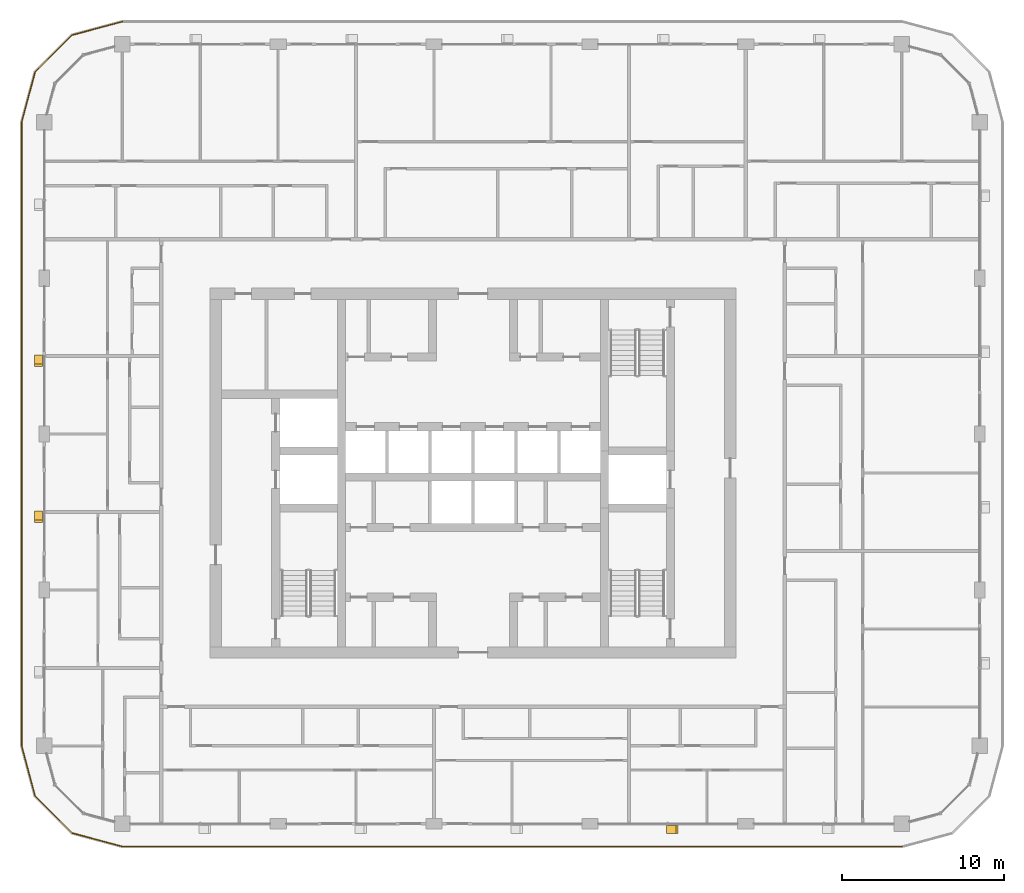
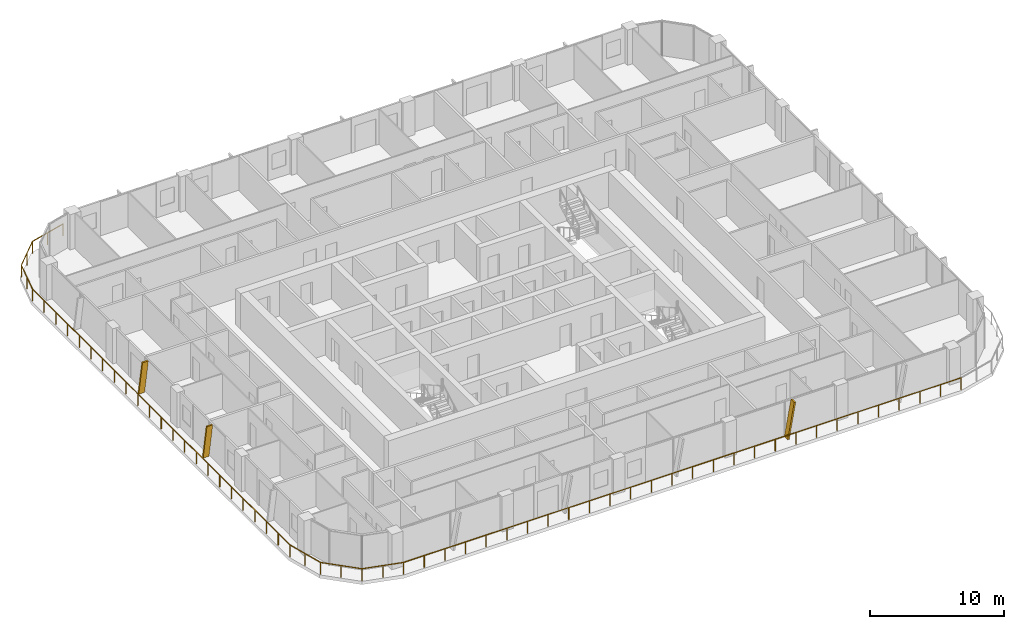
# One storey, part 19 of 23: 3 shading devices, 1 railing.
"""IFC4 building model written with IfcOpenShell, lengths in metres."""

from ifc_helpers import new_model, si_unit, direction, frame, origin, origin_2d, place, context, subcontext, project, spatial, polyline, circle, outline, extrude, material, type_object, element, save


model = new_model("IFC4")

# Units and contexts
model_context = context("Model", 3, precision=1e-05, world=origin(), true_north=direction((0.0, 1.0)))
body_context = subcontext(model_context, "Body", "Model", "MODEL_VIEW")
ifc_project = project(units=[si_unit("LENGTHUNIT", "METRE"), si_unit("AREAUNIT", "SQUARE_METRE"), si_unit("VOLUMEUNIT", "CUBIC_METRE"), si_unit("PLANEANGLEUNIT", "RADIAN"), si_unit("MASSUNIT", "GRAM", prefix="KILO")], contexts=[model_context])

# Site, building, storey
site_placement = place(None, origin())
site = spatial("IfcSite", under=ifc_project, at=site_placement, CompositionType="ELEMENT")
building_placement = place(site_placement, origin())
building = spatial("IfcBuilding", under=site, at=building_placement, Name="Madar Terraces", CompositionType="ELEMENT")
storey_placement = place(building_placement, frame((0.0, 0.0, 212.300048828125)))
storey = spatial("IfcBuildingStorey", under=building, at=storey_placement, Name="L55", CompositionType="ELEMENT", Elevation=212.300048828125)

# Railing
ifc_material_1 = material(Name="Glass, safety glazing, with stainless steel posts", Category="steel")
railing_type = type_object("IfcRailingType", Name="Balcony glass guard 1100", PredefinedType="GUARDRAIL", material=ifc_material_1)
railing_placement = place(storey_placement, frame((9.60009765625, 54.199951171875, 0.0)))
element("IfcRailing", 1, at=railing_placement, inside=storey, type_object=railing_type, Name="Balcony guard", PredefinedType="GUARDRAIL", context=body_context, shape_type="SweptSolid", body=[
    extrude(circle(Radius=0.02392578125, at=origin_2d()), frame((0.0, 0.0, 1.076171875), z_axis=(-0.9659337912, -0.258789317819, 0.0), x_axis=(0.258789317819, -0.9659337912, 0.0)), (0.0, 0.0, 1.0), 3.20947265625),
    extrude(circle(Radius=0.02392578125, at=origin_2d()), frame((-3.10009765625, -0.83056640625, 1.076171875), z_axis=(-0.707106781187, -0.707106781187, 0.0), x_axis=(0.707106781187, -0.707106781187, 0.0)), (0.0, 0.0, 1.0), 3.209228515625),
    extrude(circle(Radius=0.02392578125, at=origin_2d()), frame((-5.369384765625, -3.099853515625, 1.076171875), z_axis=(-0.258860290944, -0.965914773555, 0.0), x_axis=(0.965914773555, -0.258860290944, 0.0)), (0.0, 0.0, 1.0), 3.20947265625),
    extrude(circle(Radius=0.02392578125, at=origin_2d()), frame((-6.2001953125, -6.199951171875, 1.076171875), z_axis=(0.0, -1.0, 0.0), x_axis=(1.0, 0.0, 0.0)), (0.0, 0.0, 1.0), 38.39990234375),
    extrude(circle(Radius=0.02392578125, at=origin_2d()), frame((-6.2001953125, -44.599853515625, 1.076171875), z_axis=(0.258860290944, -0.965914773555, 0.0), x_axis=(0.965914773555, 0.258860290944, 0.0)), (0.0, 0.0, 1.0), 3.20947265625),
    extrude(circle(Radius=0.02392578125, at=origin_2d()), frame((-5.369384765625, -47.699951171875, 1.076171875), z_axis=(0.707106781187, -0.707106781187, 0.0), x_axis=(0.707106781187, 0.707106781187, 0.0)), (0.0, 0.0, 1.0), 3.209228515625),
    extrude(circle(Radius=0.02392578125, at=origin_2d()), frame((-3.10009765625, -49.96923828125, 1.076171875), z_axis=(0.965914773555, -0.258860290944, 0.0), x_axis=(0.258860290944, 0.965914773555, 0.0)), (0.0, 0.0, 1.0), 3.20947265625),
    extrude(circle(Radius=0.02392578125, at=origin_2d()), frame((0.0, -50.800048828125, 1.076171875), z_axis=(1.0, 0.0, 0.0), x_axis=(0.0, 1.0, 0.0)), (0.0, 0.0, 1.0), 48.0),
    extrude(circle(Radius=0.02099609375, at=origin_2d()), origin(), (0.0, 0.0, 1.0), 1.052001953125),
    extrude(circle(Radius=0.02099609375, at=origin_2d()), frame((-1.550048828125, -0.415283203125, 0.0)), (0.0, 0.0, 1.0), 1.052001953125),
    extrude(circle(Radius=0.02099609375, at=origin_2d()), frame((-3.10009765625, -0.83056640625, 0.0)), (0.0, 0.0, 1.0), 1.052001953125),
    extrude(circle(Radius=0.02099609375, at=origin_2d()), frame((-4.23486328125, -1.96533203125, 0.0)), (0.0, 0.0, 1.0), 1.052001953125),
    extrude(circle(Radius=0.02099609375, at=origin_2d()), frame((-5.369384765625, -3.099853515625, 0.0)), (0.0, 0.0, 1.0), 1.052001953125),
    extrude(circle(Radius=0.02099609375, at=origin_2d()), frame((-5.78466796875, -4.64990234375, 0.0)), (0.0, 0.0, 1.0), 1.052001953125),
    extrude(circle(Radius=0.02099609375, at=origin_2d()), frame((-6.2001953125, -6.199951171875, 0.0)), (0.0, 0.0, 1.0), 1.052001953125),
    extrude(circle(Radius=0.02099609375, at=origin_2d()), frame((-6.2001953125, -7.9453125, 0.0)), (0.0, 0.0, 1.0), 1.052001953125),
    extrude(circle(Radius=0.02099609375, at=origin_2d()), frame((-6.2001953125, -9.69091796875, 0.0)), (0.0, 0.0, 1.0), 1.052001953125),
    extrude(circle(Radius=0.02099609375, at=origin_2d()), frame((-6.2001953125, -11.436279296875, 0.0)), (0.0, 0.0, 1.0), 1.052001953125),
    extrude(circle(Radius=0.02099609375, at=origin_2d()), frame((-6.2001953125, -13.181640625, 0.0)), (0.0, 0.0, 1.0), 1.052001953125),
    extrude(circle(Radius=0.02099609375, at=origin_2d()), frame((-6.2001953125, -14.92724609375, 0.0)), (0.0, 0.0, 1.0), 1.052001953125),
    extrude(circle(Radius=0.02099609375, at=origin_2d()), frame((-6.2001953125, -16.672607421875, 0.0)), (0.0, 0.0, 1.0), 1.052001953125),
    extrude(circle(Radius=0.02099609375, at=origin_2d()), frame((-6.2001953125, -18.418212890625, 0.0)), (0.0, 0.0, 1.0), 1.052001953125),
    extrude(circle(Radius=0.02099609375, at=origin_2d()), frame((-6.2001953125, -20.16357421875, 0.0)), (0.0, 0.0, 1.0), 1.052001953125),
    extrude(circle(Radius=0.02099609375, at=origin_2d()), frame((-6.2001953125, -21.908935546875, 0.0)), (0.0, 0.0, 1.0), 1.052001953125),
    extrude(circle(Radius=0.02099609375, at=origin_2d()), frame((-6.2001953125, -23.654541015625, 0.0)), (0.0, 0.0, 1.0), 1.052001953125),
    extrude(circle(Radius=0.02099609375, at=origin_2d()), frame((-6.2001953125, -25.39990234375, 0.0)), (0.0, 0.0, 1.0), 1.052001953125),
    extrude(circle(Radius=0.02099609375, at=origin_2d()), frame((-6.2001953125, -27.145263671875, 0.0)), (0.0, 0.0, 1.0), 1.052001953125),
    extrude(circle(Radius=0.02099609375, at=origin_2d()), frame((-6.2001953125, -28.890869140625, 0.0)), (0.0, 0.0, 1.0), 1.052001953125),
    extrude(circle(Radius=0.02099609375, at=origin_2d()), frame((-6.2001953125, -30.63623046875, 0.0)), (0.0, 0.0, 1.0), 1.052001953125),
    extrude(circle(Radius=0.02099609375, at=origin_2d()), frame((-6.2001953125, -32.381591796875, 0.0)), (0.0, 0.0, 1.0), 1.052001953125),
    extrude(circle(Radius=0.02099609375, at=origin_2d()), frame((-6.2001953125, -34.127197265625, 0.0)), (0.0, 0.0, 1.0), 1.052001953125),
    extrude(circle(Radius=0.02099609375, at=origin_2d()), frame((-6.2001953125, -35.87255859375, 0.0)), (0.0, 0.0, 1.0), 1.052001953125),
    extrude(circle(Radius=0.02099609375, at=origin_2d()), frame((-6.2001953125, -37.6181640625, 0.0)), (0.0, 0.0, 1.0), 1.052001953125),
    extrude(circle(Radius=0.02099609375, at=origin_2d()), frame((-6.2001953125, -39.363525390625, 0.0)), (0.0, 0.0, 1.0), 1.052001953125),
    extrude(circle(Radius=0.02099609375, at=origin_2d()), frame((-6.2001953125, -41.10888671875, 0.0)), (0.0, 0.0, 1.0), 1.052001953125),
    extrude(circle(Radius=0.02099609375, at=origin_2d()), frame((-6.2001953125, -42.8544921875, 0.0)), (0.0, 0.0, 1.0), 1.052001953125),
    extrude(circle(Radius=0.02099609375, at=origin_2d()), frame((-6.2001953125, -44.599853515625, 0.0)), (0.0, 0.0, 1.0), 1.052001953125),
    extrude(circle(Radius=0.02099609375, at=origin_2d()), frame((-5.78466796875, -46.14990234375, 0.0)), (0.0, 0.0, 1.0), 1.052001953125),
    extrude(circle(Radius=0.02099609375, at=origin_2d()), frame((-5.369384765625, -47.699951171875, 0.0)), (0.0, 0.0, 1.0), 1.052001953125),
    extrude(circle(Radius=0.02099609375, at=origin_2d()), frame((-4.23486328125, -48.83447265625, 0.0)), (0.0, 0.0, 1.0), 1.052001953125),
    extrude(circle(Radius=0.02099609375, at=origin_2d()), frame((-3.10009765625, -49.96923828125, 0.0)), (0.0, 0.0, 1.0), 1.052001953125),
    extrude(circle(Radius=0.02099609375, at=origin_2d()), frame((-1.550048828125, -50.384765625, 0.0)), (0.0, 0.0, 1.0), 1.052001953125),
    extrude(circle(Radius=0.02099609375, at=origin_2d()), frame((0.0, -50.800048828125, 0.0)), (0.0, 0.0, 1.0), 1.052001953125),
    extrude(circle(Radius=0.02099609375, at=origin_2d()), frame((1.77783203125, -50.800048828125, 0.0)), (0.0, 0.0, 1.0), 1.052001953125),
    extrude(circle(Radius=0.02099609375, at=origin_2d()), frame((3.5556640625, -50.800048828125, 0.0)), (0.0, 0.0, 1.0), 1.052001953125),
    extrude(circle(Radius=0.02099609375, at=origin_2d()), frame((5.333251953125, -50.800048828125, 0.0)), (0.0, 0.0, 1.0), 1.052001953125),
    extrude(circle(Radius=0.02099609375, at=origin_2d()), frame((7.111083984375, -50.800048828125, 0.0)), (0.0, 0.0, 1.0), 1.052001953125),
    extrude(circle(Radius=0.02099609375, at=origin_2d()), frame((8.888916015625, -50.800048828125, 0.0)), (0.0, 0.0, 1.0), 1.052001953125),
    extrude(circle(Radius=0.02099609375, at=origin_2d()), frame((10.666748046875, -50.800048828125, 0.0)), (0.0, 0.0, 1.0), 1.052001953125),
    extrude(circle(Radius=0.02099609375, at=origin_2d()), frame((12.4443359375, -50.800048828125, 0.0)), (0.0, 0.0, 1.0), 1.052001953125),
    extrude(circle(Radius=0.02099609375, at=origin_2d()), frame((14.22216796875, -50.800048828125, 0.0)), (0.0, 0.0, 1.0), 1.052001953125),
    extrude(circle(Radius=0.02099609375, at=origin_2d()), frame((16.0, -50.800048828125, 0.0)), (0.0, 0.0, 1.0), 1.052001953125),
    extrude(circle(Radius=0.02099609375, at=origin_2d()), frame((17.77783203125, -50.800048828125, 0.0)), (0.0, 0.0, 1.0), 1.052001953125),
    extrude(circle(Radius=0.02099609375, at=origin_2d()), frame((19.5556640625, -50.800048828125, 0.0)), (0.0, 0.0, 1.0), 1.052001953125),
    extrude(circle(Radius=0.02099609375, at=origin_2d()), frame((21.333251953125, -50.800048828125, 0.0)), (0.0, 0.0, 1.0), 1.052001953125),
    extrude(circle(Radius=0.02099609375, at=origin_2d()), frame((23.111083984375, -50.800048828125, 0.0)), (0.0, 0.0, 1.0), 1.052001953125),
    extrude(circle(Radius=0.02099609375, at=origin_2d()), frame((24.888916015625, -50.800048828125, 0.0)), (0.0, 0.0, 1.0), 1.052001953125),
    extrude(circle(Radius=0.02099609375, at=origin_2d()), frame((26.666748046875, -50.800048828125, 0.0)), (0.0, 0.0, 1.0), 1.052001953125),
    extrude(circle(Radius=0.02099609375, at=origin_2d()), frame((28.4443359375, -50.800048828125, 0.0)), (0.0, 0.0, 1.0), 1.052001953125),
    extrude(circle(Radius=0.02099609375, at=origin_2d()), frame((30.22216796875, -50.800048828125, 0.0)), (0.0, 0.0, 1.0), 1.052001953125),
    extrude(circle(Radius=0.02099609375, at=origin_2d()), frame((32.0, -50.800048828125, 0.0)), (0.0, 0.0, 1.0), 1.052001953125),
    extrude(circle(Radius=0.02099609375, at=origin_2d()), frame((33.77783203125, -50.800048828125, 0.0)), (0.0, 0.0, 1.0), 1.052001953125),
    extrude(circle(Radius=0.02099609375, at=origin_2d()), frame((35.5556640625, -50.800048828125, 0.0)), (0.0, 0.0, 1.0), 1.052001953125),
    extrude(circle(Radius=0.02099609375, at=origin_2d()), frame((37.333251953125, -50.800048828125, 0.0)), (0.0, 0.0, 1.0), 1.052001953125),
    extrude(circle(Radius=0.02099609375, at=origin_2d()), frame((39.111083984375, -50.800048828125, 0.0)), (0.0, 0.0, 1.0), 1.052001953125),
    extrude(circle(Radius=0.02099609375, at=origin_2d()), frame((40.888916015625, -50.800048828125, 0.0)), (0.0, 0.0, 1.0), 1.052001953125),
    extrude(circle(Radius=0.02099609375, at=origin_2d()), frame((42.666748046875, -50.800048828125, 0.0)), (0.0, 0.0, 1.0), 1.052001953125),
    extrude(circle(Radius=0.02099609375, at=origin_2d()), frame((44.4443359375, -50.800048828125, 0.0)), (0.0, 0.0, 1.0), 1.052001953125),
    extrude(circle(Radius=0.02099609375, at=origin_2d()), frame((46.22216796875, -50.800048828125, 0.0)), (0.0, 0.0, 1.0), 1.052001953125),
    extrude(circle(Radius=0.02099609375, at=origin_2d()), frame((48.0, -50.800048828125, 0.0)), (0.0, 0.0, 1.0), 1.052001953125),
])

# Shading devices
ifc_material_2 = material(Name="Aluminium, black anodised", Category="aluminium")
shading_device_type = type_object("IfcShadingDeviceType", Name="Facade fin blade 140 x 500", PredefinedType="USERDEFINED", material=ifc_material_2)
shading_device_1_placement = place(storey_placement, frame((43.1298828125, 4.449951171875, 0.0), z_axis=(0.0, 0.0, 1.0), x_axis=(1.0, 0.0, 0.0)))
element("IfcShadingDevice", 2, at=shading_device_1_placement, inside=storey, type_object=shading_device_type, Name="FIN L55 S4", ObjectType="FIN", PredefinedType="USERDEFINED", context=body_context, shape_type="SweptSolid", body=[
    extrude(outline(polyline([(0.0, 0.0), (0.14013671875, 0.0), (0.704345703125, 3.199951171875), (0.564208984375, 3.199951171875), (0.0, 0.0)])), frame((0.0, 0.25, 0.0), z_axis=(0.0, -1.0, 0.0), x_axis=(1.0, 0.0, 0.0)), (0.0, 0.0, 1.0), 0.5),
])
shading_device_2_placement = place(storey_placement, frame((4.449951171875, 33.669921875, 0.0), z_axis=(0.0, 0.0, 1.0), x_axis=(0.0, -1.0, 0.0)))
element("IfcShadingDevice", 3, at=shading_device_2_placement, inside=storey, type_object=shading_device_type, Name="FIN L55 W2", ObjectType="FIN", PredefinedType="USERDEFINED", context=body_context, shape_type="SweptSolid", body=[
    extrude(outline(polyline([(0.0, 0.0), (0.139892578125, 0.0), (0.704345703125, 3.199951171875), (0.564208984375, 3.199951171875), (0.0, 0.0)])), frame((0.0, 0.25, 0.0), z_axis=(0.0, -1.0, 0.0), x_axis=(1.0, 0.0, 0.0)), (0.0, 0.0, 1.0), 0.5),
])
shading_device_3_placement = place(storey_placement, frame((4.449951171875, 24.070068359375, 0.0), z_axis=(0.0, 0.0, 1.0), x_axis=(0.0, -1.0, 0.0)))
element("IfcShadingDevice", 4, at=shading_device_3_placement, inside=storey, type_object=shading_device_type, Name="FIN L55 W3", ObjectType="FIN", PredefinedType="USERDEFINED", context=body_context, shape_type="SweptSolid", body=[
    extrude(outline(polyline([(0.0, 0.0), (0.14013671875, 0.0), (0.704345703125, 3.199951171875), (0.564208984375, 3.199951171875), (0.0, 0.0)])), frame((0.0, 0.25, 0.0), z_axis=(0.0, -1.0, 0.0), x_axis=(1.0, 0.0, 0.0)), (0.0, 0.0, 1.0), 0.5),
])

save(model, "model.ifc")
